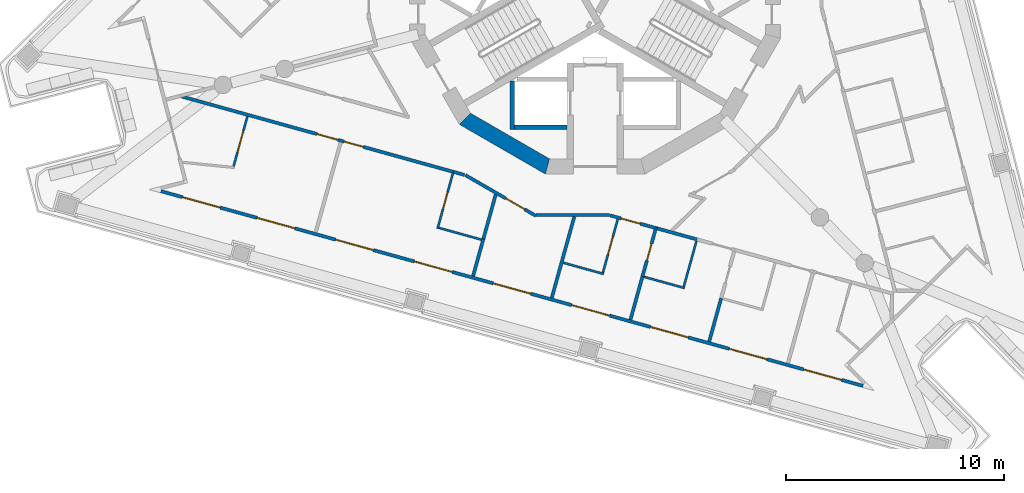
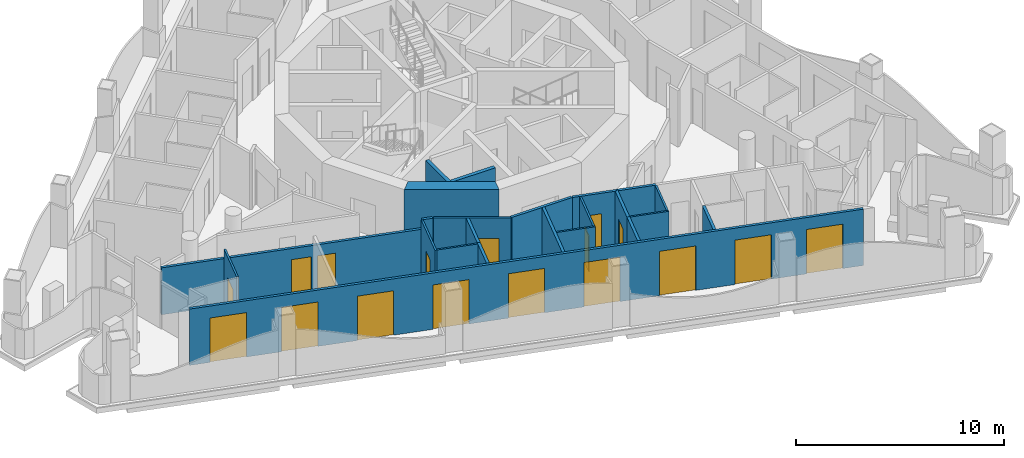
# One storey, part 2 of 14: 23 walls, 17 doors, 17 openings.
"""IFC4 building model written with IfcOpenShell, lengths in metres."""

import ifcopenshell
import ifcopenshell.guid

model = None  # the IFC model being written
_history = None  # IfcOwnerHistory: only IFC2X3 demands one
_inside = {}  # id of a spatial element -> (the spatial element, [elements in it])
_under = {}  # id of a project, library or spatial element -> (it, [spatial elements below it])
_declared = {}  # id of a project -> (the project, [libraries it declares])
_typed = {}  # id of a type object -> (the type object, [elements of that type])
_made_of = {}  # id of a material, layer set ... -> (it, [elements and type objects made of it])


def new_model(schema):
    """Start an empty IFC model of exactly this schema.

    Asked for "IFC4X3", IfcOpenShell would pick the latest addendum, in which some entities
    have other attributes; the version numbers below select the first issue.
    IFC2X3 requires an IfcOwnerHistory on every rooted entity: one is made here for all.
    """
    global model, _history
    if schema == "IFC4X3":
        model = ifcopenshell.file(schema_version=(4, 3, 0, 0))
    else:
        model = ifcopenshell.file(schema=schema)
    _inside.clear()
    _under.clear()
    _declared.clear()
    _typed.clear()
    _made_of.clear()
    _history = None
    if model.schema == "IFC2X3":
        org = make("IfcOrganization", Name="unknown")
        user = make(
            "IfcPersonAndOrganization",
            ThePerson=make("IfcPerson", FamilyName="unknown"),
            TheOrganization=org,
        )
        app = make(
            "IfcApplication",
            ApplicationDeveloper=org,
            Version="unknown",
            ApplicationFullName="unknown",
            ApplicationIdentifier="unknown",
        )
        _history = make(
            "IfcOwnerHistory",
            OwningUser=user,
            OwningApplication=app,
            ChangeAction="ADDED",
            CreationDate=0,
        )
    return model


def make(cls, **values):
    """One entity of the class cls with the attributes given. An attribute that is None is left unset."""
    return model.create_entity(
        cls, **{name: value for name, value in values.items() if value is not None}
    )


def rooted(cls, **values):
    """An entity with a GlobalId (a new one), such as an element, a storey or a relation."""
    return make(cls, GlobalId=ifcopenshell.guid.new(), OwnerHistory=_history, **values)


def si_unit(unit_type, name, prefix=None):
    """IfcSIUnit, for example si_unit("LENGTHUNIT", "METRE", prefix="MILLI")."""
    return make("IfcSIUnit", UnitType=unit_type, Prefix=prefix, Name=name)


def assignment(units):
    """IfcUnitAssignment: the units of a project."""
    return None if units is None else make("IfcUnitAssignment", Units=units)


def point(xyz):
    """IfcCartesianPoint."""
    return None if xyz is None else make("IfcCartesianPoint", Coordinates=xyz)


def direction(xyz):
    """IfcDirection."""
    return None if xyz is None else make("IfcDirection", DirectionRatios=xyz)


def frame(location, z_axis=None, x_axis=None):
    """IfcAxis2Placement3D, a coordinate frame: its origin and axes. An axis left out is left unset."""
    return make(
        "IfcAxis2Placement3D",
        Location=point(location),
        Axis=direction(z_axis),
        RefDirection=direction(x_axis),
    )


def frame_2d(location, x_axis=None):
    """IfcAxis2Placement2D, a coordinate frame in the plane: its origin and x axis."""
    return make(
        "IfcAxis2Placement2D", Location=point(location), RefDirection=direction(x_axis)
    )


def origin():
    """The frame at (0, 0, 0) with its axes left unset."""
    return frame((0.0, 0.0, 0.0))


def place(relative_to, where):
    """IfcLocalPlacement: puts the frame where relative to a parent placement (None: the world)."""
    return make(
        "IfcLocalPlacement", PlacementRelTo=relative_to, RelativePlacement=where
    )


def context(
    kind, dimensions, precision=None, world=None, true_north=None, identifier=None
):
    """IfcGeometricRepresentationContext, for example the 3D "Model" context."""
    return make(
        "IfcGeometricRepresentationContext",
        ContextIdentifier=identifier,
        ContextType=kind,
        CoordinateSpaceDimension=dimensions,
        Precision=precision,
        WorldCoordinateSystem=world,
        TrueNorth=true_north,
    )


def subcontext(parent, identifier, kind, view, scale=None):
    """IfcGeometricRepresentationSubContext, for example "Body" below "Model"."""
    return make(
        "IfcGeometricRepresentationSubContext",
        ContextIdentifier=identifier,
        ContextType=kind,
        ParentContext=parent,
        TargetScale=scale,
        TargetView=view,
    )


def project(units=None, contexts=None):
    """IfcProject with its units and contexts."""
    return rooted(
        "IfcProject",
        Name="project",
        RepresentationContexts=contexts,
        UnitsInContext=assignment(units),
    )


def spatial(cls, under=None, at=None, **own):
    """A site, building, storey or space (cls), placed at a placement, below another one or the project."""
    s = rooted(cls, ObjectPlacement=at, **own)
    if under is not None:
        _under.setdefault(under.id(), (under, []))[1].append(s)
    return s


def polyline(points):
    """IfcPolyline through the points."""
    return make("IfcPolyline", Points=[point(p) for p in points])


def profile(cls, at=None, kind="AREA", **sizes):
    """A parametric profile (cls). Its sizes go by their IFC names, for example OverallWidth=200.0."""
    return make(cls, ProfileType=kind, Position=at, **sizes)


def rectangle(**sizes):
    """IfcRectangleProfileDef."""
    return profile("IfcRectangleProfileDef", **sizes)


def outline(outer, holes=None, kind="AREA"):
    """IfcArbitraryClosedProfileDef: a profile drawn as a closed curve; with holes, ...WithVoids."""
    if holes is None:
        return make("IfcArbitraryClosedProfileDef", ProfileType=kind, OuterCurve=outer)
    return make(
        "IfcArbitraryProfileDefWithVoids",
        ProfileType=kind,
        OuterCurve=outer,
        InnerCurves=holes,
    )


def extrude(swept, where, along, depth):
    """IfcExtrudedAreaSolid: the profile swept, set in the frame where, extruded along a direction by depth."""
    return make(
        "IfcExtrudedAreaSolid",
        SweptArea=swept,
        Position=where,
        ExtrudedDirection=direction(along),
        Depth=depth,
    )


def shape(context_of_items, identifier, shape_type, items):
    """IfcShapeRepresentation: the items that make up one representation, for example the "Body"."""
    return make(
        "IfcShapeRepresentation",
        ContextOfItems=context_of_items,
        RepresentationIdentifier=identifier,
        RepresentationType=shape_type,
        Items=items,
    )


def material(Name=None, Category=None):
    """IfcMaterial."""
    return make("IfcMaterial", Name=Name, Category=Category)


def layer(
    of_material, thickness, ventilated=None, Name=None, Category=None, Priority=None
):
    """IfcMaterialLayer: one layer of a wall or slab, of a material (None: an air gap)."""
    return make(
        "IfcMaterialLayer",
        Material=of_material,
        LayerThickness=thickness,
        IsVentilated=ventilated,
        Name=Name,
        Category=Category,
        Priority=Priority,
    )


def layer_set(layers, Name=None):
    """IfcMaterialLayerSet."""
    return make("IfcMaterialLayerSet", MaterialLayers=layers, LayerSetName=Name)


def made_of(thing, what):
    """Note that an element or type object is made of a material, layer set ...; save() writes the relation."""
    if what is not None:
        _made_of.setdefault(what.id(), (what, []))[1].append(thing)
    return thing


def type_object(cls, material=None, **own):
    """A type object (cls), such as IfcWallType, which elements share."""
    return made_of(rooted(cls, **own), material)


def element(
    cls,
    number,
    at=None,
    inside=None,
    cuts=None,
    type_object=None,
    material=None,
    context=None,
    identifier="Body",
    shape_type=None,
    held_by="IfcProductDefinitionShape",
    body=None,
    shapes=None,
    **own,
):
    """One element of the class cls, such as IfcWall. Its Tag is "e" and its number.

    at: its placement. inside: the storey or other place that contains it. cuts: it is an
    opening in that element (IfcRelVoidsElement). A single representation is given by context,
    identifier, shape_type and body (its items); several are given by shapes. held_by: the class
    of the entity that holds the representations. save() writes the other relations.
    """
    e = rooted(cls, Tag="e%d" % number, ObjectPlacement=at, **own)
    if body is not None:
        shapes = [shape(context, identifier, shape_type, body)]
    if shapes is not None:
        e.Representation = make(held_by, Representations=shapes)
    if inside is not None:
        _inside.setdefault(inside.id(), (inside, []))[1].append(e)
    if cuts is not None:
        rooted(
            "IfcRelVoidsElement", RelatingBuildingElement=cuts, RelatedOpeningElement=e
        )
    if type_object is not None:
        _typed.setdefault(type_object.id(), (type_object, []))[1].append(e)
    return made_of(e, material)


def fill(opening, filler):
    """IfcRelFillsElement: the door or window that sits in an opening."""
    return rooted(
        "IfcRelFillsElement",
        RelatingOpeningElement=opening,
        RelatedBuildingElement=filler,
    )


def aggregate(whole, parts):
    """IfcRelAggregates: a whole, such as a stair, and the parts it consists of."""
    return rooted("IfcRelAggregates", RelatingObject=whole, RelatedObjects=parts)


def save(model, path):
    """Write the relations noted so far, then the file.

    IfcRelAggregates (storeys below a building ...), IfcRelContainedInSpatialStructure (elements
    in a storey), IfcRelDefinesByType, IfcRelAssociatesMaterial and IfcRelDeclares: one each for
    every whole, place, type object, material and project.
    """
    for whole, parts in _under.values():
        aggregate(whole, parts)
    for where, things in _inside.values():
        rooted(
            "IfcRelContainedInSpatialStructure",
            RelatedElements=things,
            RelatingStructure=where,
        )
    for kind, things in _typed.values():
        rooted("IfcRelDefinesByType", RelatedObjects=things, RelatingType=kind)
    for what, things in _made_of.values():
        rooted("IfcRelAssociatesMaterial", RelatedObjects=things, RelatingMaterial=what)
    for by, libraries in _declared.values():
        rooted("IfcRelDeclares", RelatingContext=by, RelatedDefinitions=libraries)
    model.write(path)


model = new_model("IFC4")

# Units and contexts
model_context = context("Model", 3, precision=1e-05, world=origin(), true_north=direction((0.0, 1.0)))
body_context = subcontext(model_context, "Body", "Model", "MODEL_VIEW")
ifc_project = project(units=[si_unit("LENGTHUNIT", "METRE"), si_unit("AREAUNIT", "SQUARE_METRE"), si_unit("VOLUMEUNIT", "CUBIC_METRE"), si_unit("PLANEANGLEUNIT", "RADIAN"), si_unit("MASSUNIT", "GRAM", prefix="KILO")], contexts=[model_context])

# Site, building, storey
site_placement = place(None, origin())
site = spatial("IfcSite", under=ifc_project, at=site_placement, CompositionType="ELEMENT")
building_placement = place(site_placement, origin())
building = spatial("IfcBuilding", under=site, at=building_placement, Name="Trine Commons Tower", CompositionType="ELEMENT")
storey_placement = place(building_placement, frame((0.0, 0.0, 242.10009765625)))
storey = spatial("IfcBuildingStorey", under=building, at=storey_placement, Name="L63", CompositionType="ELEMENT", Elevation=242.10009765625)

# Wall, openings, doors
ifc_material_1 = material(Name="Aluminium-framed insulated wall panel", Category="aluminium")
ifc_layer_1 = layer(ifc_material_1, 0.14990234375)
ifc_layer_set_1 = layer_set([ifc_layer_1], Name="Aluminium-framed insulated wall panel")
wall_type_1 = type_object("IfcWallType", Name="Glazed frame wall 150, EI 60", PredefinedType="SOLIDWALL", material=ifc_layer_set_1)
wall_1_placement = place(storey_placement, frame((92.4189453125, 44.2548828125, 0.0), z_axis=(0.0, 0.0, 1.0), x_axis=(-0.963630586427, 0.267237895708, 0.0)))
wall_1 = element("IfcWall", 1, at=wall_1_placement, inside=storey, type_object=wall_type_1, Name="Glazed frame wall F3", PredefinedType="SOLIDWALL", context=body_context, shape_type="SweptSolid", body=[
    extrude(outline(polyline([(0.1494140625, 0.074951171875), (0.1494140625, -0.074951171875), (33.536865234375, -0.074951171875), (33.536865234375, 0.074951171875), (0.1494140625, 0.074951171875)])), origin(), (0.0, 0.0, 1.0), 3.2998046875),
])
opening_1_placement = place(wall_1_placement, frame((1.17138671875, 0.0, 0.0)))
opening_1 = element("IfcOpeningElement", 2, at=opening_1_placement, cuts=wall_1, Name="Opening BD-7F3-01", PredefinedType="OPENING", context=body_context, shape_type="SweptSolid", body=[
    extrude(rectangle(XDim=1.800048828125, YDim=2.60009765625, at=frame_2d((0.89990234375, 1.300048828125))), frame((0.0, 0.0849609375, 0.0), z_axis=(0.0, -1.0, 0.0), x_axis=(1.0, 0.0, 0.0)), (0.0, 0.0, 1.0), 0.169921875),
])
opening_2_placement = place(wall_1_placement, frame((4.71435546875, 0.0, 0.0)))
opening_2 = element("IfcOpeningElement", 3, at=opening_2_placement, cuts=wall_1, Name="Opening BD-7F3-02", PredefinedType="OPENING", context=body_context, shape_type="SweptSolid", body=[
    extrude(rectangle(XDim=1.800048828125, YDim=2.60009765625, at=frame_2d((0.89990234375, 1.300048828125))), frame((0.0, 0.0849609375, 0.0), z_axis=(0.0, -1.0, 0.0), x_axis=(1.0, 0.0, 0.0)), (0.0, 0.0, 1.0), 0.169921875),
])
opening_3_placement = place(wall_1_placement, frame((8.457275390625, 0.0, 0.0)))
opening_3 = element("IfcOpeningElement", 4, at=opening_3_placement, cuts=wall_1, Name="Opening BD-7F3-03", PredefinedType="OPENING", context=body_context, shape_type="SweptSolid", body=[
    extrude(rectangle(XDim=1.800048828125, YDim=2.60009765625, at=frame_2d((0.89990234375, 1.300048828125))), frame((0.0, 0.0849609375, 0.0), z_axis=(0.0, -1.0, 0.0), x_axis=(1.0, 0.0, 0.0)), (0.0, 0.0, 1.0), 0.169921875),
])
opening_4_placement = place(wall_1_placement, frame((12.2001953125, 0.0, 0.0)))
opening_4 = element("IfcOpeningElement", 5, at=opening_4_placement, cuts=wall_1, Name="Opening BD-7F3-04", PredefinedType="OPENING", context=body_context, shape_type="SweptSolid", body=[
    extrude(rectangle(XDim=1.800048828125, YDim=2.60009765625, at=frame_2d((0.89990234375, 1.300048828125))), frame((0.0, 0.0849609375, 0.0), z_axis=(0.0, -1.0, 0.0), x_axis=(1.0, 0.0, 0.0)), (0.0, 0.0, 1.0), 0.169921875),
])
opening_5_placement = place(wall_1_placement, frame((15.943115234375, 0.0, 0.0)))
opening_5 = element("IfcOpeningElement", 6, at=opening_5_placement, cuts=wall_1, Name="Opening BD-7F3-05", PredefinedType="OPENING", context=body_context, shape_type="SweptSolid", body=[
    extrude(rectangle(XDim=1.800048828125, YDim=2.60009765625, at=frame_2d((0.89990234375, 1.300048828125))), frame((0.0, 0.0849609375, 0.0), z_axis=(0.0, -1.0, 0.0), x_axis=(1.0, 0.0, 0.0)), (0.0, 0.0, 1.0), 0.169921875),
])
opening_6_placement = place(wall_1_placement, frame((19.68603515625, 0.0, 0.0)))
opening_6 = element("IfcOpeningElement", 7, at=opening_6_placement, cuts=wall_1, Name="Opening BD-7F3-06", PredefinedType="OPENING", context=body_context, shape_type="SweptSolid", body=[
    extrude(rectangle(XDim=1.800048828125, YDim=2.60009765625, at=frame_2d((0.89990234375, 1.300048828125))), frame((0.0, 0.0849609375, 0.0), z_axis=(0.0, -1.0, 0.0), x_axis=(1.0, 0.0, 0.0)), (0.0, 0.0, 1.0), 0.169921875),
])
opening_7_placement = place(wall_1_placement, frame((23.428955078125, 0.0, 0.0)))
opening_7 = element("IfcOpeningElement", 8, at=opening_7_placement, cuts=wall_1, Name="Opening BD-7F3-07", PredefinedType="OPENING", context=body_context, shape_type="SweptSolid", body=[
    extrude(rectangle(XDim=1.800048828125, YDim=2.60009765625, at=frame_2d((0.89990234375, 1.300048828125))), frame((0.0, 0.0849609375, 0.0), z_axis=(0.0, -1.0, 0.0), x_axis=(1.0, 0.0, 0.0)), (0.0, 0.0, 1.0), 0.169921875),
])
opening_8_placement = place(wall_1_placement, frame((27.171875, 0.0, 0.0)))
opening_8 = element("IfcOpeningElement", 9, at=opening_8_placement, cuts=wall_1, Name="Opening BD-7F3-08", PredefinedType="OPENING", context=body_context, shape_type="SweptSolid", body=[
    extrude(rectangle(XDim=1.800048828125, YDim=2.60009765625, at=frame_2d((0.89990234375, 1.300048828125))), frame((0.0, 0.0849609375, 0.0), z_axis=(0.0, -1.0, 0.0), x_axis=(1.0, 0.0, 0.0)), (0.0, 0.0, 1.0), 0.169921875),
])
opening_9_placement = place(wall_1_placement, frame((30.714599609375, 0.0, 0.0)))
opening_9 = element("IfcOpeningElement", 10, at=opening_9_placement, cuts=wall_1, Name="Opening BD-7F3-09", PredefinedType="OPENING", context=body_context, shape_type="SweptSolid", body=[
    extrude(rectangle(XDim=1.800048828125, YDim=2.60009765625, at=frame_2d((0.89990234375, 1.300048828125))), frame((0.0, 0.0849609375, 0.0), z_axis=(0.0, -1.0, 0.0), x_axis=(1.0, 0.0, 0.0)), (0.0, 0.0, 1.0), 0.169921875),
])
ifc_material_2 = material(Name="Anodised aluminium frame with double glazing", Category="aluminium")
door_type_1 = type_object("IfcDoorType", Name="Sliding loggia door 1800x2600", OperationType="SLIDING_TO_LEFT", PredefinedType="DOOR", material=ifc_material_2)
door_1_placement = place(opening_1_placement, origin())
door_1 = element("IfcDoor", 11, at=door_1_placement, inside=storey, type_object=door_type_1, Name="Loggia door F3 1", OperationType="SLIDING_TO_LEFT", OverallHeight=2.60009765625, OverallWidth=1.800048828125, PredefinedType="DOOR", context=body_context, shape_type="SweptSolid", body=[
    extrude(rectangle(XDim=1.800048828125, YDim=2.60009765625, at=frame_2d((0.89990234375, 1.300048828125))), frame((0.0, 0.02490234375, 0.0), z_axis=(0.0, -1.0, 0.0), x_axis=(1.0, 0.0, 0.0)), (0.0, 0.0, 1.0), 0.050048828125),
])
fill(opening_1, door_1)
door_2_placement = place(opening_2_placement, origin())
door_2 = element("IfcDoor", 12, at=door_2_placement, inside=storey, type_object=door_type_1, Name="Loggia door F3 2", OperationType="SLIDING_TO_LEFT", OverallHeight=2.60009765625, OverallWidth=1.800048828125, PredefinedType="DOOR", context=body_context, shape_type="SweptSolid", body=[
    extrude(rectangle(XDim=1.800048828125, YDim=2.60009765625, at=frame_2d((0.89990234375, 1.300048828125))), frame((0.0, 0.02490234375, 0.0), z_axis=(0.0, -1.0, 0.0), x_axis=(1.0, 0.0, 0.0)), (0.0, 0.0, 1.0), 0.050048828125),
])
fill(opening_2, door_2)
door_3_placement = place(opening_3_placement, origin())
door_3 = element("IfcDoor", 13, at=door_3_placement, inside=storey, type_object=door_type_1, Name="Loggia door F3 3", OperationType="SLIDING_TO_LEFT", OverallHeight=2.60009765625, OverallWidth=1.800048828125, PredefinedType="DOOR", context=body_context, shape_type="SweptSolid", body=[
    extrude(rectangle(XDim=1.800048828125, YDim=2.60009765625, at=frame_2d((0.89990234375, 1.300048828125))), frame((0.0, 0.02490234375, 0.0), z_axis=(0.0, -1.0, 0.0), x_axis=(1.0, 0.0, 0.0)), (0.0, 0.0, 1.0), 0.050048828125),
])
fill(opening_3, door_3)
door_4_placement = place(opening_4_placement, origin())
door_4 = element("IfcDoor", 14, at=door_4_placement, inside=storey, type_object=door_type_1, Name="Loggia door F3 4", OperationType="SLIDING_TO_LEFT", OverallHeight=2.60009765625, OverallWidth=1.800048828125, PredefinedType="DOOR", context=body_context, shape_type="SweptSolid", body=[
    extrude(rectangle(XDim=1.800048828125, YDim=2.60009765625, at=frame_2d((0.89990234375, 1.300048828125))), frame((0.0, 0.02490234375, 0.0), z_axis=(0.0, -1.0, 0.0), x_axis=(1.0, 0.0, 0.0)), (0.0, 0.0, 1.0), 0.050048828125),
])
fill(opening_4, door_4)
door_5_placement = place(opening_5_placement, origin())
door_5 = element("IfcDoor", 15, at=door_5_placement, inside=storey, type_object=door_type_1, Name="Loggia door F3 5", OperationType="SLIDING_TO_LEFT", OverallHeight=2.60009765625, OverallWidth=1.800048828125, PredefinedType="DOOR", context=body_context, shape_type="SweptSolid", body=[
    extrude(rectangle(XDim=1.800048828125, YDim=2.60009765625, at=frame_2d((0.89990234375, 1.300048828125))), frame((0.0, 0.02490234375, 0.0), z_axis=(0.0, -1.0, 0.0), x_axis=(1.0, 0.0, 0.0)), (0.0, 0.0, 1.0), 0.050048828125),
])
fill(opening_5, door_5)
door_6_placement = place(opening_6_placement, origin())
door_6 = element("IfcDoor", 16, at=door_6_placement, inside=storey, type_object=door_type_1, Name="Loggia door F3 6", OperationType="SLIDING_TO_LEFT", OverallHeight=2.60009765625, OverallWidth=1.800048828125, PredefinedType="DOOR", context=body_context, shape_type="SweptSolid", body=[
    extrude(rectangle(XDim=1.800048828125, YDim=2.60009765625, at=frame_2d((0.89990234375, 1.300048828125))), frame((0.0, 0.02490234375, 0.0), z_axis=(0.0, -1.0, 0.0), x_axis=(1.0, 0.0, 0.0)), (0.0, 0.0, 1.0), 0.050048828125),
])
fill(opening_6, door_6)
door_7_placement = place(opening_7_placement, origin())
door_7 = element("IfcDoor", 17, at=door_7_placement, inside=storey, type_object=door_type_1, Name="Loggia door F3 7", OperationType="SLIDING_TO_LEFT", OverallHeight=2.60009765625, OverallWidth=1.800048828125, PredefinedType="DOOR", context=body_context, shape_type="SweptSolid", body=[
    extrude(rectangle(XDim=1.800048828125, YDim=2.60009765625, at=frame_2d((0.89990234375, 1.300048828125))), frame((0.0, 0.02490234375, 0.0), z_axis=(0.0, -1.0, 0.0), x_axis=(1.0, 0.0, 0.0)), (0.0, 0.0, 1.0), 0.050048828125),
])
fill(opening_7, door_7)
door_8_placement = place(opening_8_placement, origin())
door_8 = element("IfcDoor", 18, at=door_8_placement, inside=storey, type_object=door_type_1, Name="Loggia door F3 8", OperationType="SLIDING_TO_LEFT", OverallHeight=2.60009765625, OverallWidth=1.800048828125, PredefinedType="DOOR", context=body_context, shape_type="SweptSolid", body=[
    extrude(rectangle(XDim=1.800048828125, YDim=2.60009765625, at=frame_2d((0.89990234375, 1.300048828125))), frame((0.0, 0.02490234375, 0.0), z_axis=(0.0, -1.0, 0.0), x_axis=(1.0, 0.0, 0.0)), (0.0, 0.0, 1.0), 0.050048828125),
])
fill(opening_8, door_8)
door_9_placement = place(opening_9_placement, origin())
door_9 = element("IfcDoor", 19, at=door_9_placement, inside=storey, type_object=door_type_1, Name="Loggia door F3 9", OperationType="SLIDING_TO_LEFT", OverallHeight=2.60009765625, OverallWidth=1.800048828125, PredefinedType="DOOR", context=body_context, shape_type="SweptSolid", body=[
    extrude(rectangle(XDim=1.800048828125, YDim=2.60009765625, at=frame_2d((0.89990234375, 1.300048828125))), frame((0.0, 0.02490234375, 0.0), z_axis=(0.0, -1.0, 0.0), x_axis=(1.0, 0.0, 0.0)), (0.0, 0.0, 1.0), 0.050048828125),
])
fill(opening_9, door_9)

# Walls
ifc_material_3 = material(Name="Concrete C50/60", Category="concrete")
ifc_layer_2 = layer(ifc_material_3, 0.699951171875)
ifc_layer_set_2 = layer_set([ifc_layer_2], Name="Concrete C50/60")
wall_type_2 = type_object("IfcWallType", Name="RC shear wall 700 mm, C50/60", PredefinedType="SHEAR", material=ifc_layer_set_2)
wall_2_placement = place(storey_placement, frame((73.952392578125, 56.58056640625, 0.0), z_axis=(0.0, 0.0, 1.0), x_axis=(0.866034756103, -0.499983800959, 0.0)))
element("IfcWall", 20, at=wall_2_placement, inside=storey, type_object=wall_type_2, Name="Core wall CWG-09 L63", PredefinedType="SHEAR", context=body_context, shape_type="SweptSolid", body=[
    extrude(outline(polyline([(0.0, -0.35009765625), (4.55517578125, -0.35009765625), (4.36767578125, 0.35009765625), (0.1875, 0.35009765625), (0.0, -0.35009765625)])), origin(), (0.0, 0.0, 1.0), 3.599853515625),
])
ifc_material_4 = material(Name="Fire-rated gypsum shaft wall system")
ifc_layer_3 = layer(ifc_material_4, 0.199951171875)
ifc_layer_set_3 = layer_set([ifc_layer_3], Name="Fire-rated gypsum shaft wall system")
wall_type_3 = type_object("IfcWallType", Name="Shaft wall 200 mm, EI 120", PredefinedType="PARTITIONING", material=ifc_layer_set_3)
wall_3_placement = place(storey_placement, frame((76.199951171875, 58.257080078125, 0.0), z_axis=(0.0, 0.0, 1.0), x_axis=(0.0, -1.0, 0.0)))
element("IfcWall", 21, at=wall_3_placement, inside=storey, type_object=wall_type_3, Name="Shaft wall L63", PredefinedType="PARTITIONING", context=body_context, shape_type="SweptSolid", body=[
    extrude(rectangle(XDim=2.20703125, YDim=0.199951171875, at=frame_2d((1.103515625, 0.0))), origin(), (0.0, 0.0, 1.0), 3.2998046875),
])
wall_4_placement = place(storey_placement, frame((78.699951171875, 56.14990234375, 0.0), z_axis=(0.0, 0.0, 1.0), x_axis=(-1.0, 0.0, 0.0)))
element("IfcWall", 22, at=wall_4_placement, inside=storey, type_object=wall_type_3, Name="Shaft wall L63", PredefinedType="PARTITIONING", context=body_context, shape_type="SweptSolid", body=[
    extrude(rectangle(XDim=2.39990234375, YDim=0.199951171875, at=frame_2d((1.199951171875, 0.0))), origin(), (0.0, 0.0, 1.0), 3.2998046875),
])

# Wall, openings, doors
ifc_material_5 = material(Name="Gypsum plasterboard on steel stud", Category="steel")
ifc_layer_4 = layer(ifc_material_5, 0.14990234375)
ifc_layer_set_4 = layer_set([ifc_layer_4], Name="Gypsum plasterboard on steel stud")
wall_type_4 = type_object("IfcWallType", Name="Unit and corridor wall 150 mm, EI 60", PredefinedType="PARTITIONING", material=ifc_layer_set_4)
wall_5_placement = place(storey_placement, frame((61.043212890625, 57.55908203125, 0.0), z_axis=(0.0, 0.0, 1.0), x_axis=(0.963630739332, -0.26723734435, 0.0)))
wall_5 = element("IfcWall", 23, at=wall_5_placement, inside=storey, type_object=wall_type_4, Name="Partition 004", PredefinedType="PARTITIONING", context=body_context, shape_type="SweptSolid", body=[
    extrude(rectangle(XDim=12.97900390625, YDim=0.14990234375, at=frame_2d((6.489501953125, 0.0))), origin(), (0.0, 0.0, 1.0), 2.75),
])
opening_10_placement = place(wall_5_placement, frame((7.739990234375, 0.0, 0.0)))
opening_10 = element("IfcOpeningElement", 24, at=opening_10_placement, cuts=wall_5, Name="Opening D-7A24", PredefinedType="OPENING", context=body_context, shape_type="SweptSolid", body=[
    extrude(rectangle(XDim=0.89990234375, YDim=2.10009765625, at=frame_2d((0.449951171875, 1.050048828125))), frame((0.0, 0.0849609375, 0.0), z_axis=(0.0, -1.0, 0.0), x_axis=(1.0, 0.0, 0.0)), (0.0, 0.0, 1.0), 0.169921875),
])
opening_11_placement = place(wall_5_placement, frame((6.43994140625, 0.0, 0.0)))
opening_11 = element("IfcOpeningElement", 25, at=opening_11_placement, cuts=wall_5, Name="Opening D-7A25", PredefinedType="OPENING", context=body_context, shape_type="SweptSolid", body=[
    extrude(rectangle(XDim=1.0, YDim=2.10009765625, at=frame_2d((0.5, 1.050048828125))), frame((0.0, 0.0849609375, 0.0), z_axis=(0.0, -1.0, 0.0), x_axis=(1.0, 0.0, 0.0)), (0.0, 0.0, 1.0), 0.169921875),
])
ifc_material_6 = material(Name="Timber fire door set", Category="wood")
door_type_2 = type_object("IfcDoorType", Name="Bedroom door 1000 x 2100, FD30S", OperationType="NOTDEFINED", PredefinedType="DOOR", material=ifc_material_6)
door_10_placement = place(opening_11_placement, frame((1.0, 0.0, 0.0), z_axis=(0.0, 0.0, 1.0), x_axis=(-1.0, 0.0, 0.0)))
door_10 = element("IfcDoor", 26, at=door_10_placement, inside=storey, type_object=door_type_2, Name="Door D-7A25", OperationType="SINGLE_SWING_LEFT", OverallHeight=2.10009765625, OverallWidth=1.0, PredefinedType="DOOR", context=body_context, shape_type="SweptSolid", body=[
    extrude(rectangle(XDim=1.0, YDim=2.10009765625, at=frame_2d((0.5, 1.050048828125))), frame((0.0, 0.02490234375, 0.0), z_axis=(0.0, -1.0, 0.0), x_axis=(1.0, 0.0, 0.0)), (0.0, 0.0, 1.0), 0.050048828125),
])
fill(opening_11, door_10)
door_type_3 = type_object("IfcDoorType", Name="Bedroom door 900 x 2100, FD30S", OperationType="NOTDEFINED", PredefinedType="DOOR", material=ifc_material_6)
door_11_placement = place(opening_10_placement, frame((0.89990234375, 0.0, 0.0), z_axis=(0.0, 0.0, 1.0), x_axis=(-1.0, 0.0, 0.0)))
door_11 = element("IfcDoor", 27, at=door_11_placement, inside=storey, type_object=door_type_3, Name="Door D-7A24", OperationType="SINGLE_SWING_LEFT", OverallHeight=2.10009765625, OverallWidth=0.89990234375, PredefinedType="DOOR", context=body_context, shape_type="SweptSolid", body=[
    extrude(rectangle(XDim=0.89990234375, YDim=2.10009765625, at=frame_2d((0.449951171875, 1.050048828125))), frame((0.0, 0.02490234375, 0.0), z_axis=(0.0, -1.0, 0.0), x_axis=(1.0, 0.0, 0.0)), (0.0, 0.0, 1.0), 0.050048828125),
])
fill(opening_10, door_11)

# Wall
wall_6_placement = place(storey_placement, frame((73.4951171875, 54.10595703125, 0.0), z_axis=(0.0, 0.0, 1.0), x_axis=(0.963398829282, -0.268072183819, 0.0)))
element("IfcWall", 28, at=wall_6_placement, inside=storey, type_object=wall_type_4, Name="Partition 035", PredefinedType="PARTITIONING", context=body_context, shape_type="SweptSolid", body=[
    extrude(rectangle(XDim=0.529052734375, YDim=0.14990234375, at=frame_2d((0.2646484375, 0.0))), origin(), (0.0, 0.0, 1.0), 3.2998046875),
])

# Wall, opening, door
wall_7_placement = place(storey_placement, frame((74.049072265625, 53.9560546875, 0.0), z_axis=(0.0, 0.0, 1.0), x_axis=(0.865974487503, -0.500088179218, 0.0)))
wall_7 = element("IfcWall", 29, at=wall_7_placement, inside=storey, type_object=wall_type_4, Name="Partition 037", PredefinedType="PARTITIONING", context=body_context, shape_type="SweptSolid", body=[
    extrude(rectangle(XDim=3.736572265625, YDim=0.14990234375, at=frame_2d((1.8681640625, 0.0))), origin(), (0.0, 0.0, 1.0), 3.2998046875),
])
opening_12_placement = place(wall_7_placement, frame((2.146728515625, 0.0, 0.0)))
opening_12 = element("IfcOpeningElement", 30, at=opening_12_placement, cuts=wall_7, Name="Opening D-7A23", PredefinedType="OPENING", context=body_context, shape_type="SweptSolid", body=[
    extrude(rectangle(XDim=1.0, YDim=2.10009765625, at=frame_2d((0.5, 1.050048828125))), frame((0.0, 0.0849609375, 0.0), z_axis=(0.0, -1.0, 0.0), x_axis=(1.0, 0.0, 0.0)), (0.0, 0.0, 1.0), 0.169921875),
])
ifc_material_7 = material(Name="Painted timber", Category="wood")
door_type_4 = type_object("IfcDoorType", Name="Amenity room door 1000 x 2100, NOT RATED", OperationType="NOTDEFINED", PredefinedType="DOOR", material=ifc_material_7)
door_12_placement = place(opening_12_placement, frame((1.0, 0.0, 0.0), z_axis=(0.0, 0.0, 1.0), x_axis=(-1.0, 0.0, 0.0)))
door_12 = element("IfcDoor", 31, at=door_12_placement, inside=storey, type_object=door_type_4, Name="Door D-7A23", OperationType="SINGLE_SWING_LEFT", OverallHeight=2.10009765625, OverallWidth=1.0, PredefinedType="DOOR", context=body_context, shape_type="SweptSolid", body=[
    extrude(rectangle(XDim=1.0, YDim=2.10009765625, at=frame_2d((0.5, 1.050048828125))), frame((0.0, 0.02490234375, 0.0), z_axis=(0.0, -1.0, 0.0), x_axis=(1.0, 0.0, 0.0)), (0.0, 0.0, 1.0), 0.050048828125),
])
fill(opening_12, door_12)

# Walls
wall_8_placement = place(storey_placement, frame((74.40478515625, 49.32861328125, 0.0), z_axis=(0.0, 0.0, 1.0), x_axis=(0.267401148385, 0.963585297648, 0.0)))
element("IfcWall", 32, at=wall_8_placement, inside=storey, type_object=wall_type_4, Name="Partition 041", PredefinedType="PARTITIONING", context=body_context, shape_type="SweptSolid", body=[
    extrude(rectangle(XDim=1.763916015625, YDim=0.14990234375, at=frame_2d((0.8818359375, 0.0))), origin(), (0.0, 0.0, 1.0), 3.2998046875),
])
wall_9_placement = place(storey_placement, frame((74.861083984375, 50.971923828125, 0.0), z_axis=(0.0, 0.0, 1.0), x_axis=(0.267076384881, 0.963675362681, 0.0)))
element("IfcWall", 33, at=wall_9_placement, inside=storey, type_object=wall_type_4, Name="Partition 042", PredefinedType="PARTITIONING", context=body_context, shape_type="SweptSolid", body=[
    extrude(rectangle(XDim=2.1748046875, YDim=0.14990234375, at=frame_2d((1.08740234375, 0.0))), origin(), (0.0, 0.0, 1.0), 3.2998046875),
])
wall_10_placement = place(storey_placement, frame((77.294921875, 52.125, 0.0), z_axis=(0.0, 0.0, 1.0), x_axis=(1.0, 0.0, 0.0)))
element("IfcWall", 34, at=wall_10_placement, inside=storey, type_object=wall_type_4, Name="Partition 046", PredefinedType="PARTITIONING", context=body_context, shape_type="SweptSolid", body=[
    extrude(rectangle(XDim=3.35595703125, YDim=0.14990234375, at=frame_2d((1.677978515625, 0.0))), origin(), (0.0, 0.0, 1.0), 3.2998046875),
])
wall_11_placement = place(storey_placement, frame((78.01171875, 48.32861328125, 0.0), z_axis=(0.0, 0.0, 1.0), x_axis=(0.267337590954, 0.963602932988, 0.0)))
element("IfcWall", 35, at=wall_11_placement, inside=storey, type_object=wall_type_4, Name="Partition 047", PredefinedType="PARTITIONING", context=body_context, shape_type="SweptSolid", body=[
    extrude(rectangle(XDim=3.86474609375, YDim=0.14990234375, at=frame_2d((1.932373046875, 0.0))), origin(), (0.0, 0.0, 1.0), 3.2998046875),
])

# Wall, opening, door
wall_12_placement = place(storey_placement, frame((80.681884765625, 52.110107421875, 0.0), z_axis=(0.0, 0.0, 1.0), x_axis=(0.96358351927, -0.267407556722, 0.0)))
wall_12 = element("IfcWall", 36, at=wall_12_placement, inside=storey, type_object=wall_type_4, Name="Partition 056", PredefinedType="PARTITIONING", context=body_context, shape_type="SweptSolid", body=[
    extrude(rectangle(XDim=2.184814453125, YDim=0.14990234375, at=frame_2d((1.09228515625, 0.0))), origin(), (0.0, 0.0, 1.0), 3.2998046875),
])
opening_13_placement = place(wall_12_placement, frame((0.53759765625, 0.0, 0.0)))
opening_13 = element("IfcOpeningElement", 37, at=opening_13_placement, cuts=wall_12, Name="Opening D-7A22", PredefinedType="OPENING", context=body_context, shape_type="SweptSolid", body=[
    extrude(rectangle(XDim=0.89990234375, YDim=2.10009765625, at=frame_2d((0.449951171875, 1.050048828125))), frame((0.0, 0.0849609375, 0.0), z_axis=(0.0, -1.0, 0.0), x_axis=(1.0, 0.0, 0.0)), (0.0, 0.0, 1.0), 0.169921875),
])
door_13_placement = place(opening_13_placement, frame((0.89990234375, 0.0, 0.0), z_axis=(0.0, 0.0, 1.0), x_axis=(-1.0, 0.0, 0.0)))
door_13 = element("IfcDoor", 38, at=door_13_placement, inside=storey, type_object=door_type_3, Name="Door D-7A22", OperationType="SINGLE_SWING_RIGHT", OverallHeight=2.10009765625, OverallWidth=0.89990234375, PredefinedType="DOOR", context=body_context, shape_type="SweptSolid", body=[
    extrude(rectangle(XDim=0.89990234375, YDim=2.10009765625, at=frame_2d((0.449951171875, 1.050048828125))), frame((0.0, 0.02490234375, 0.0), z_axis=(0.0, -1.0, 0.0), x_axis=(1.0, 0.0, 0.0)), (0.0, 0.0, 1.0), 0.050048828125),
])
fill(opening_13, door_13)

# Wall
wall_13_placement = place(storey_placement, frame((81.61865234375, 47.327392578125, 0.0), z_axis=(0.0, 0.0, 1.0), x_axis=(0.267075474737, 0.963675614921, 0.0)))
element("IfcWall", 39, at=wall_13_placement, inside=storey, type_object=wall_type_4, Name="Partition 057", PredefinedType="PARTITIONING", context=body_context, shape_type="SweptSolid", body=[
    extrude(rectangle(XDim=2.060546875, YDim=0.14990234375, at=frame_2d((1.0302734375, 0.0))), origin(), (0.0, 0.0, 1.0), 3.2998046875),
])

# Wall, opening, door
wall_14_placement = place(storey_placement, frame((82.1689453125, 49.31298828125, 0.0), z_axis=(0.0, 0.0, 1.0), x_axis=(0.267490099625, 0.963560608681, 0.0)))
wall_14 = element("IfcWall", 40, at=wall_14_placement, inside=storey, type_object=wall_type_4, Name="Partition 059", PredefinedType="PARTITIONING", context=body_context, shape_type="SweptSolid", body=[
    extrude(rectangle(XDim=2.374755859375, YDim=0.14990234375, at=frame_2d((1.1875, 0.0))), origin(), (0.0, 0.0, 1.0), 3.2998046875),
])
opening_14_placement = place(wall_14_placement, frame((0.75, 0.0, 0.0)))
opening_14 = element("IfcOpeningElement", 41, at=opening_14_placement, cuts=wall_14, Name="Opening D-7A42", PredefinedType="OPENING", context=body_context, shape_type="SweptSolid", body=[
    extrude(rectangle(XDim=0.800048828125, YDim=2.10009765625, at=frame_2d((0.39990234375, 1.050048828125))), frame((0.0, 0.0849609375, 0.0), z_axis=(0.0, -1.0, 0.0), x_axis=(1.0, 0.0, 0.0)), (0.0, 0.0, 1.0), 0.169921875),
])
door_type_5 = type_object("IfcDoorType", Name="Internal door 800 x 2100, NOT RATED", OperationType="NOTDEFINED", PredefinedType="DOOR", material=ifc_material_7)
door_14_placement = place(opening_14_placement, origin())
door_14 = element("IfcDoor", 42, at=door_14_placement, inside=storey, type_object=door_type_5, Name="Door D-7A42", OperationType="SINGLE_SWING_LEFT", OverallHeight=2.10009765625, OverallWidth=0.800048828125, PredefinedType="DOOR", context=body_context, shape_type="SweptSolid", body=[
    extrude(rectangle(XDim=0.800048828125, YDim=2.10009765625, at=frame_2d((0.39990234375, 1.050048828125))), frame((0.0, 0.02490234375, 0.0), z_axis=(0.0, -1.0, 0.0), x_axis=(1.0, 0.0, 0.0)), (0.0, 0.0, 1.0), 0.050048828125),
])
fill(opening_14, door_14)

# Walls
wall_15_placement = place(storey_placement, frame((82.852294921875, 51.508056640625, 0.0), z_axis=(0.0, 0.0, 1.0), x_axis=(0.963942160186, -0.266111840805, 0.0)))
element("IfcWall", 43, at=wall_15_placement, inside=storey, type_object=wall_type_4, Name="Partition 063", PredefinedType="PARTITIONING", context=body_context, shape_type="SweptSolid", body=[
    extrude(rectangle(XDim=1.882568359375, YDim=0.14990234375, at=frame_2d((0.94140625, 0.0))), origin(), (0.0, 0.0, 1.0), 3.2998046875),
])
wall_16_placement = place(storey_placement, frame((85.2255859375, 46.327392578125, 0.0), z_axis=(0.0, 0.0, 1.0), x_axis=(0.267075474737, 0.963675614921, 0.0)))
element("IfcWall", 44, at=wall_16_placement, inside=storey, type_object=wall_type_4, Name="Partition 072", PredefinedType="PARTITIONING", context=body_context, shape_type="SweptSolid", body=[
    extrude(rectangle(XDim=2.060546875, YDim=0.14990234375, at=frame_2d((1.0302734375, 0.0))), origin(), (0.0, 0.0, 1.0), 3.2998046875),
])

# Wall, opening, door
ifc_layer_5 = layer(ifc_material_5, 0.10009765625)
ifc_layer_set_5 = layer_set([ifc_layer_5], Name="Gypsum plasterboard on steel stud")
wall_type_5 = type_object("IfcWallType", Name="Unit partition 100 mm, no rating", PredefinedType="PARTITIONING", material=ifc_layer_set_5)
wall_17_placement = place(storey_placement, frame((63.427490234375, 54.355224609375, 0.0), z_axis=(0.0, 0.0, 1.0), x_axis=(0.267177255804, 0.963647401273, 0.0)))
wall_17 = element("IfcWall", 45, at=wall_17_placement, inside=storey, type_object=wall_type_5, Name="Partition 008", PredefinedType="PARTITIONING", context=body_context, shape_type="SweptSolid", body=[
    extrude(rectangle(XDim=2.375, YDim=0.10009765625, at=frame_2d((1.1875, 0.0))), origin(), (0.0, 0.0, 1.0), 3.2998046875),
])
opening_15_placement = place(wall_17_placement, frame((0.6875, 0.0, 0.0)))
opening_15 = element("IfcOpeningElement", 46, at=opening_15_placement, cuts=wall_17, Name="Opening D-7A45", PredefinedType="OPENING", context=body_context, shape_type="SweptSolid", body=[
    extrude(rectangle(XDim=1.0, YDim=2.10009765625, at=frame_2d((0.5, 1.050048828125))), frame((0.0, 0.06005859375, 0.0), z_axis=(0.0, -1.0, 0.0), x_axis=(1.0, 0.0, 0.0)), (0.0, 0.0, 1.0), 0.1201171875),
])
door_type_6 = type_object("IfcDoorType", Name="Internal door 1000 x 2100, NOT RATED", OperationType="NOTDEFINED", PredefinedType="DOOR", material=ifc_material_7)
door_15_placement = place(opening_15_placement, frame((1.0, 0.0, 0.0), z_axis=(0.0, 0.0, 1.0), x_axis=(-1.0, 0.0, 0.0)))
door_15 = element("IfcDoor", 47, at=door_15_placement, inside=storey, type_object=door_type_6, Name="Door D-7A45", OperationType="SINGLE_SWING_LEFT", OverallHeight=2.10009765625, OverallWidth=1.0, PredefinedType="DOOR", context=body_context, shape_type="SweptSolid", body=[
    extrude(rectangle(XDim=1.0, YDim=2.10009765625, at=frame_2d((0.5, 1.050048828125))), frame((0.0, 0.02490234375, 0.0), z_axis=(0.0, -1.0, 0.0), x_axis=(1.0, 0.0, 0.0)), (0.0, 0.0, 1.0), 0.050048828125),
])
fill(opening_15, door_15)

wall_18_placement = place(storey_placement, frame((72.776611328125, 51.501708984375, 0.0), z_axis=(0.0, 0.0, 1.0), x_axis=(0.267159430854, 0.963652343175, 0.0)))
wall_18 = element("IfcWall", 48, at=wall_18_placement, inside=storey, type_object=wall_type_5, Name="Partition 033", PredefinedType="PARTITIONING", context=body_context, shape_type="SweptSolid", body=[
    extrude(rectangle(XDim=2.62548828125, YDim=0.10009765625, at=frame_2d((1.312744140625, 0.0))), origin(), (0.0, 0.0, 1.0), 3.2998046875),
])
opening_16_placement = place(wall_18_placement, frame((0.937744140625, 0.0, 0.0)))
opening_16 = element("IfcOpeningElement", 49, at=opening_16_placement, cuts=wall_18, Name="Opening D-7A44", PredefinedType="OPENING", context=body_context, shape_type="SweptSolid", body=[
    extrude(rectangle(XDim=0.800048828125, YDim=2.10009765625, at=frame_2d((0.39990234375, 1.050048828125))), frame((0.0, 0.06005859375, 0.0), z_axis=(0.0, -1.0, 0.0), x_axis=(1.0, 0.0, 0.0)), (0.0, 0.0, 1.0), 0.1201171875),
])
door_16_placement = place(opening_16_placement, origin())
door_16 = element("IfcDoor", 50, at=door_16_placement, inside=storey, type_object=door_type_5, Name="Door D-7A44", OperationType="SINGLE_SWING_RIGHT", OverallHeight=2.10009765625, OverallWidth=0.800048828125, PredefinedType="DOOR", context=body_context, shape_type="SweptSolid", body=[
    extrude(rectangle(XDim=0.800048828125, YDim=2.10009765625, at=frame_2d((0.39990234375, 1.050048828125))), frame((0.0, 0.02490234375, 0.0), z_axis=(0.0, -1.0, 0.0), x_axis=(1.0, 0.0, 0.0)), (0.0, 0.0, 1.0), 0.050048828125),
])
fill(opening_16, door_16)

# Walls
wall_19_placement = place(storey_placement, frame((72.838134765625, 51.53662109375, 0.0), z_axis=(0.0, 0.0, 1.0), x_axis=(0.963721434873, -0.266910089668, 0.0)))
element("IfcWall", 51, at=wall_19_placement, inside=storey, type_object=wall_type_5, Name="Partition 034", PredefinedType="PARTITIONING", context=body_context, shape_type="SweptSolid", body=[
    extrude(rectangle(XDim=2.025146484375, YDim=0.10009765625, at=frame_2d((1.0126953125, 0.0))), origin(), (0.0, 0.0, 1.0), 3.2998046875),
])
wall_20_placement = place(storey_placement, frame((78.536376953125, 49.93896484375, 0.0), z_axis=(0.0, 0.0, 1.0), x_axis=(0.963625049046, -0.267257862095, 0.0)))
element("IfcWall", 52, at=wall_20_placement, inside=storey, type_object=wall_type_5, Name="Partition 048", PredefinedType="PARTITIONING", context=body_context, shape_type="SweptSolid", body=[
    extrude(rectangle(XDim=1.9248046875, YDim=0.10009765625, at=frame_2d((0.96240234375, 0.0))), origin(), (0.0, 0.0, 1.0), 3.2998046875),
])

# Wall, opening, door
wall_21_placement = place(storey_placement, frame((80.3564453125, 49.486083984375, 0.0), z_axis=(0.0, 0.0, 1.0), x_axis=(0.267267405356, 0.963622402207, 0.0)))
wall_21 = element("IfcWall", 53, at=wall_21_placement, inside=storey, type_object=wall_type_5, Name="Partition 054", PredefinedType="PARTITIONING", context=body_context, shape_type="SweptSolid", body=[
    extrude(rectangle(XDim=2.542236328125, YDim=0.10009765625, at=frame_2d((1.27099609375, 0.0))), origin(), (0.0, 0.0, 1.0), 3.2998046875),
])
opening_17_placement = place(wall_21_placement, frame((0.87109375, 0.0, 0.0)))
opening_17 = element("IfcOpeningElement", 54, at=opening_17_placement, cuts=wall_21, Name="Opening D-7A43", PredefinedType="OPENING", context=body_context, shape_type="SweptSolid", body=[
    extrude(rectangle(XDim=0.800048828125, YDim=2.10009765625, at=frame_2d((0.39990234375, 1.050048828125))), frame((0.0, 0.06005859375, 0.0), z_axis=(0.0, -1.0, 0.0), x_axis=(1.0, 0.0, 0.0)), (0.0, 0.0, 1.0), 0.1201171875),
])
door_17_placement = place(opening_17_placement, frame((0.800048828125, 0.0, 0.0), z_axis=(0.0, 0.0, 1.0), x_axis=(-1.0, 0.0, 0.0)))
door_17 = element("IfcDoor", 55, at=door_17_placement, inside=storey, type_object=door_type_5, Name="Door D-7A43", OperationType="SINGLE_SWING_LEFT", OverallHeight=2.10009765625, OverallWidth=0.800048828125, PredefinedType="DOOR", context=body_context, shape_type="SweptSolid", body=[
    extrude(rectangle(XDim=0.800048828125, YDim=2.10009765625, at=frame_2d((0.39990234375, 1.050048828125))), frame((0.0, 0.02490234375, 0.0), z_axis=(0.0, -1.0, 0.0), x_axis=(1.0, 0.0, 0.0)), (0.0, 0.0, 1.0), 0.050048828125),
])
fill(opening_17, door_17)

# Walls
wall_22_placement = place(storey_placement, frame((82.2412109375, 49.29296875, 0.0), z_axis=(0.0, 0.0, 1.0), x_axis=(0.963634107358, -0.26722519929, 0.0)))
element("IfcWall", 56, at=wall_22_placement, inside=storey, type_object=wall_type_5, Name="Partition 060", PredefinedType="PARTITIONING", context=body_context, shape_type="SweptSolid", body=[
    extrude(rectangle(XDim=1.925048828125, YDim=0.10009765625, at=frame_2d((0.96240234375, 0.0))), origin(), (0.0, 0.0, 1.0), 3.2998046875),
])
wall_23_placement = place(storey_placement, frame((84.061279296875, 48.840087890625, 0.0), z_axis=(0.0, 0.0, 1.0), x_axis=(0.26738911175, 0.96358863781, 0.0)))
element("IfcWall", 57, at=wall_23_placement, inside=storey, type_object=wall_type_5, Name="Partition 067", PredefinedType="PARTITIONING", context=body_context, shape_type="SweptSolid", body=[
    extrude(rectangle(XDim=2.1748046875, YDim=0.10009765625, at=frame_2d((1.08740234375, 0.0))), origin(), (0.0, 0.0, 1.0), 3.2998046875),
])

save(model, "model.ifc")
